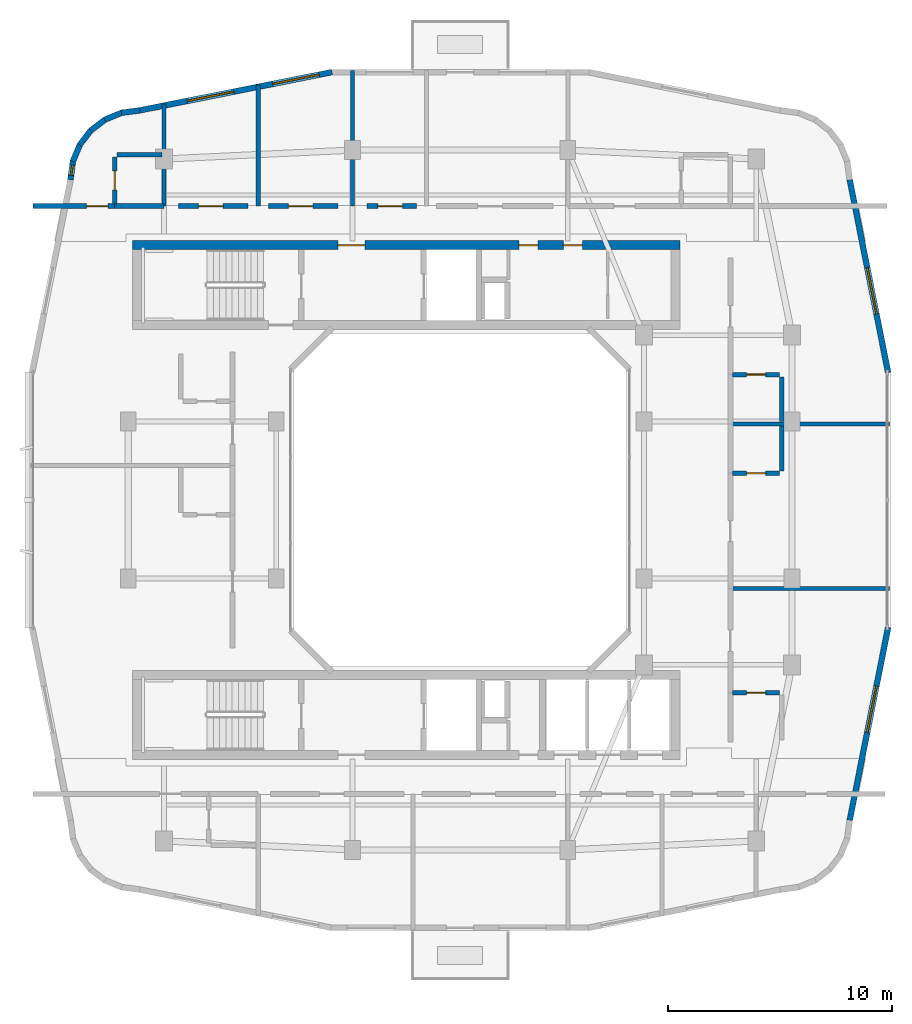
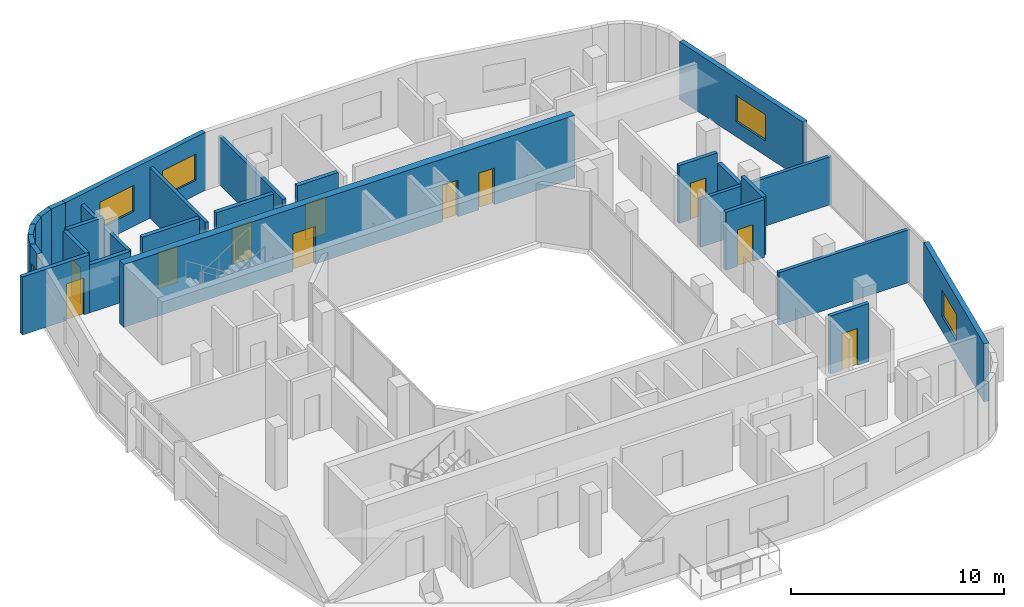
# One storey, part 8 of 13: 27 walls, 11 doors, 5 windows, 16 openings.
"""IFC4 building model written with IfcOpenShell, lengths in metres."""

from ifc_helpers import new_model, si_unit, derived_unit, direction, frame, frame_2d, origin, place, context, subcontext, project, spatial, rectangle, extrude, material, layer, layer_set, type_object, element, fill, save


model = new_model("IFC4")

# Units and contexts
model_context = context("Model", 3, precision=1e-05, world=origin(), true_north=direction((0.0, 1.0)))
body_context = subcontext(model_context, "Body", "Model", "MODEL_VIEW")
ifc_project = project(units=[si_unit("LENGTHUNIT", "METRE"), si_unit("AREAUNIT", "SQUARE_METRE"), si_unit("VOLUMEUNIT", "CUBIC_METRE"), si_unit("PLANEANGLEUNIT", "RADIAN"), si_unit("MASSUNIT", "GRAM", prefix="KILO"), derived_unit("THERMALTRANSMITTANCEUNIT", [(si_unit("POWERUNIT", "WATT"), 1), (si_unit("LENGTHUNIT", "METRE"), -2), (si_unit("THERMODYNAMICTEMPERATUREUNIT", "KELVIN"), -1)])], contexts=[model_context])

# Site, building, storey
site_placement = place(None, origin())
site = spatial("IfcSite", under=ifc_project, at=site_placement, CompositionType="ELEMENT")
building_placement = place(site_placement, origin())
building = spatial("IfcBuilding", under=site, at=building_placement, Name="Kivonza Crest Hotel", CompositionType="ELEMENT")
storey_placement = place(building_placement, frame((0.0, 0.0, 231.5)))
storey = spatial("IfcBuildingStorey", under=building, at=storey_placement, Name="L63", CompositionType="ELEMENT", Elevation=231.5)

# Walls
ifc_material_1 = material(Name="High-density acoustic masonry inter-tenancy wall", Category="masonry")
ifc_layer_1 = layer(ifc_material_1, 0.179931640625)
ifc_layer_set_1 = layer_set([ifc_layer_1], Name="High-density acoustic masonry inter-tenancy wall")
wall_type_1 = type_object("IfcWallType", Name="WL-ACOU-180", PredefinedType="SOLIDWALL", material=ifc_layer_set_1)
wall_1_placement = place(storey_placement, frame((7.800048828125, 38.10009765625, 0.0), z_axis=(0.0, 0.0, 1.0), x_axis=(0.0, 1.0, 0.0)))
element("IfcWall", 1, at=wall_1_placement, inside=storey, type_object=wall_type_1, Name="L63 interior partition WA-L63-T1N-DIV1", PredefinedType="SOLIDWALL", context=body_context, shape_type="SweptSolid", body=[
    extrude(rectangle(XDim=4.557861328125, YDim=0.179931640625, at=frame_2d((2.27880859375, 0.0))), origin(), (0.0, 0.0, 1.0), 2.7451171875),
])
wall_2_placement = place(storey_placement, frame((12.0, 38.10009765625, 0.0), z_axis=(0.0, 0.0, 1.0), x_axis=(0.0, 1.0, 0.0)))
element("IfcWall", 2, at=wall_2_placement, inside=storey, type_object=wall_type_1, Name="L63 interior partition WA-L63-T1N-SPDIV1", PredefinedType="SOLIDWALL", context=body_context, shape_type="SweptSolid", body=[
    extrude(rectangle(XDim=5.393798828125, YDim=0.179931640625, at=frame_2d((2.69677734375, 0.0))), origin(), (0.0, 0.0, 1.0), 2.89501953125),
])
wall_3_placement = place(storey_placement, frame((16.199951171875, 38.10009765625, 0.0), z_axis=(0.0, 0.0, 1.0), x_axis=(0.0, 1.0, 0.0)))
element("IfcWall", 3, at=wall_3_placement, inside=storey, type_object=wall_type_1, Name="L63 interior partition WA-L63-T1N-DIV2", PredefinedType="SOLIDWALL", context=body_context, shape_type="SweptSolid", body=[
    extrude(rectangle(XDim=6.039794921875, YDim=0.179931640625, at=frame_2d((3.02001953125, 0.0))), origin(), (0.0, 0.0, 1.0), 2.7451171875),
])
wall_4_placement = place(storey_placement, frame((33.050048828125, 21.049072265625, 0.0), z_axis=(0.0, 0.0, 1.0), x_axis=(1.0, 0.0, 0.0)))
element("IfcWall", 4, at=wall_4_placement, inside=storey, type_object=wall_type_1, Name="L63 interior partition WA-L63-T1E-DIV1", PredefinedType="SOLIDWALL", context=body_context, shape_type="SweptSolid", body=[
    extrude(rectangle(XDim=7.08984375, YDim=0.179931640625, at=frame_2d((3.544921875, 0.0))), origin(), (0.0, 0.0, 1.0), 3.014892578125),
])
wall_5_placement = place(storey_placement, frame((33.050048828125, 28.39306640625, 0.0), z_axis=(0.0, 0.0, 1.0), x_axis=(1.0, 0.0, 0.0)))
element("IfcWall", 5, at=wall_5_placement, inside=storey, type_object=wall_type_1, Name="L63 interior partition WA-L63-T1E-DIV2", PredefinedType="SOLIDWALL", context=body_context, shape_type="SweptSolid", body=[
    extrude(rectangle(XDim=7.08984375, YDim=0.179931640625, at=frame_2d((3.544921875, 0.0))), origin(), (0.0, 0.0, 1.0), 2.7451171875),
])
ifc_material_2 = material(Name="Autoclaved aerated concrete blockwork", Category="masonry")
ifc_layer_2 = layer(ifc_material_2, 0.219970703125)
ifc_layer_set_2 = layer_set([ifc_layer_2], Name="Autoclaved aerated concrete blockwork")
wall_type_2 = type_object("IfcWallType", Name="WL-ACOU-220", PredefinedType="SOLIDWALL", material=ifc_layer_set_2)
wall_6_placement = place(storey_placement, frame((5.60009765625, 38.10009765625, 0.0), z_axis=(0.0, 0.0, 1.0), x_axis=(1.0, 0.0, 0.0)))
element("IfcWall", 6, at=wall_6_placement, inside=storey, type_object=wall_type_2, Name="L63 interior partition WA-L63-N01-BCORR", PredefinedType="SOLIDWALL", context=body_context, shape_type="SweptSolid", body=[
    extrude(rectangle(XDim=2.199951171875, YDim=0.219970703125, at=frame_2d((1.10009765625, 0.0))), origin(), (0.0, 0.0, 1.0), 2.7451171875),
])

# Wall, opening, door
wall_7_placement = place(storey_placement, frame((1.9599609375, 38.10009765625, 0.0), z_axis=(0.0, 0.0, 1.0), x_axis=(1.0, 0.0, 0.0)))
wall_7 = element("IfcWall", 7, at=wall_7_placement, inside=storey, type_object=wall_type_2, Name="L63 interior partition WA-L63-N01-MCORR", PredefinedType="SOLIDWALL", context=body_context, shape_type="SweptSolid", body=[
    extrude(rectangle(XDim=3.64013671875, YDim=0.219970703125, at=frame_2d((1.820068359375, 0.0))), origin(), (0.0, 0.0, 1.0), 3.320068359375),
])
opening_1_placement = place(wall_7_placement, frame((2.389892578125, 0.0, 0.0)))
opening_1 = element("IfcOpeningElement", 8, at=opening_1_placement, cuts=wall_7, Name="Opening DU-60", PredefinedType="OPENING", context=body_context, shape_type="SweptSolid", body=[
    extrude(rectangle(XDim=0.949951171875, YDim=2.10009765625, at=frame_2d((0.47509765625, 1.050048828125))), frame((0.0, 0.1201171875, 0.0), z_axis=(0.0, -1.0, 0.0), x_axis=(1.0, 0.0, 0.0)), (0.0, 0.0, 1.0), 0.239990234375),
])
ifc_material_3 = material(Name="Hardwood timber oak", Category="wood")
door_type_1 = type_object("IfcDoorType", Name="DR-UNIT-950", OperationType="NOTDEFINED", PredefinedType="DOOR", material=ifc_material_3)
door_1_placement = place(opening_1_placement, origin())
door_1 = element("IfcDoor", 9, at=door_1_placement, inside=storey, type_object=door_type_1, Name="L63 N01 guest unit entrance fire door", OperationType="SINGLE_SWING_LEFT", OverallHeight=2.10009765625, OverallWidth=0.949951171875, PredefinedType="DOOR", context=body_context, shape_type="SweptSolid", body=[
    extrude(rectangle(XDim=0.949951171875, YDim=2.10009765625, at=frame_2d((0.47509765625, 1.050048828125))), frame((0.0, 0.02490234375, 0.0), z_axis=(0.0, -1.0, 0.0), x_axis=(1.0, 0.0, 0.0)), (0.0, 0.0, 1.0), 0.050048828125),
])
fill(opening_1, door_1)

wall_8_placement = place(storey_placement, frame((8.449951171875, 38.10009765625, 0.0), z_axis=(0.0, 0.0, 1.0), x_axis=(1.0, 0.0, 0.0)))
wall_8 = element("IfcWall", 10, at=wall_8_placement, inside=storey, type_object=wall_type_2, Name="L63 interior partition WA-L63-Z3-NOFF1A-S", PredefinedType="SOLIDWALL", context=body_context, shape_type="SweptSolid", body=[
    extrude(rectangle(XDim=3.10009765625, YDim=0.219970703125, at=frame_2d((1.550048828125, 0.0))), origin(), (0.0, 0.0, 1.0), 3.320068359375),
])
opening_2_placement = place(wall_8_placement, frame((0.889892578125, 0.0, 0.0)))
opening_2 = element("IfcOpeningElement", 11, at=opening_2_placement, cuts=wall_8, Name="Opening DF-60M", PredefinedType="OPENING", context=body_context, shape_type="SweptSolid", body=[
    extrude(rectangle(XDim=1.10009765625, YDim=2.10009765625, at=frame_2d((0.550048828125, 1.050048828125))), frame((0.0, 0.1201171875, 0.0), z_axis=(0.0, -1.0, 0.0), x_axis=(1.0, 0.0, 0.0)), (0.0, 0.0, 1.0), 0.239990234375),
])
door_type_2 = type_object("IfcDoorType", Name="DR-FD60-1100", OperationType="NOTDEFINED", PredefinedType="DOOR", material=ifc_material_3)
door_2_placement = place(opening_2_placement, origin())
door_2 = element("IfcDoor", 12, at=door_2_placement, inside=storey, type_object=door_type_2, Name="L63 High-Rise Executive Briefing Office door", OperationType="SINGLE_SWING_RIGHT", OverallHeight=2.10009765625, OverallWidth=1.10009765625, PredefinedType="DOOR", context=body_context, shape_type="SweptSolid", body=[
    extrude(rectangle(XDim=1.10009765625, YDim=2.10009765625, at=frame_2d((0.550048828125, 1.050048828125))), frame((0.0, 0.02490234375, 0.0), z_axis=(0.0, -1.0, 0.0), x_axis=(1.0, 0.0, 0.0)), (0.0, 0.0, 1.0), 0.050048828125),
])
fill(opening_2, door_2)

wall_9_placement = place(storey_placement, frame((12.449951171875, 38.10009765625, 0.0), z_axis=(0.0, 0.0, 1.0), x_axis=(1.0, 0.0, 0.0)))
wall_9 = element("IfcWall", 13, at=wall_9_placement, inside=storey, type_object=wall_type_2, Name="L63 interior partition WA-L63-Z3-NOFF1B-S", PredefinedType="SOLIDWALL", context=body_context, shape_type="SweptSolid", body=[
    extrude(rectangle(XDim=3.10009765625, YDim=0.219970703125, at=frame_2d((1.550048828125, 0.0))), origin(), (0.0, 0.0, 1.0), 3.320068359375),
])
opening_3_placement = place(wall_9_placement, frame((0.889892578125, 0.0, 0.0)))
opening_3 = element("IfcOpeningElement", 14, at=opening_3_placement, cuts=wall_9, Name="Opening DF-60M", PredefinedType="OPENING", context=body_context, shape_type="SweptSolid", body=[
    extrude(rectangle(XDim=1.10009765625, YDim=2.10009765625, at=frame_2d((0.550048828125, 1.050048828125))), frame((0.0, 0.1201171875, 0.0), z_axis=(0.0, -1.0, 0.0), x_axis=(1.0, 0.0, 0.0)), (0.0, 0.0, 1.0), 0.239990234375),
])
door_3_placement = place(opening_3_placement, origin())
door_3 = element("IfcDoor", 15, at=door_3_placement, inside=storey, type_object=door_type_2, Name="L63 High-Rise Diplomatic Study Office door", OperationType="SINGLE_SWING_LEFT", OverallHeight=2.10009765625, OverallWidth=1.10009765625, PredefinedType="DOOR", context=body_context, shape_type="SweptSolid", body=[
    extrude(rectangle(XDim=1.10009765625, YDim=2.10009765625, at=frame_2d((0.550048828125, 1.050048828125))), frame((0.0, 0.02490234375, 0.0), z_axis=(0.0, -1.0, 0.0), x_axis=(1.0, 0.0, 0.0)), (0.0, 0.0, 1.0), 0.050048828125),
])
fill(opening_3, door_3)

wall_10_placement = place(storey_placement, frame((16.85009765625, 38.10009765625, 0.0), z_axis=(0.0, 0.0, 1.0), x_axis=(1.0, 0.0, 0.0)))
wall_10 = element("IfcWall", 16, at=wall_10_placement, inside=storey, type_object=wall_type_2, Name="L63 interior partition WA-L63-Z3-NOFF2A-S", PredefinedType="SOLIDWALL", context=body_context, shape_type="SweptSolid", body=[
    extrude(rectangle(XDim=2.199951171875, YDim=0.219970703125, at=frame_2d((1.10009765625, 0.0))), origin(), (0.0, 0.0, 1.0), 3.320068359375),
])
opening_4_placement = place(wall_10_placement, frame((0.485107421875, 0.0, 0.0)))
opening_4 = element("IfcOpeningElement", 17, at=opening_4_placement, cuts=wall_10, Name="Opening DF-60M", PredefinedType="OPENING", context=body_context, shape_type="SweptSolid", body=[
    extrude(rectangle(XDim=1.10009765625, YDim=2.10009765625, at=frame_2d((0.550048828125, 1.050048828125))), frame((0.0, 0.1201171875, 0.0), z_axis=(0.0, -1.0, 0.0), x_axis=(1.0, 0.0, 0.0)), (0.0, 0.0, 1.0), 0.239990234375),
])
door_4_placement = place(opening_4_placement, origin())
door_4 = element("IfcDoor", 18, at=door_4_placement, inside=storey, type_object=door_type_2, Name="L63 High-Rise Executive Briefing Office door", OperationType="SINGLE_SWING_RIGHT", OverallHeight=2.10009765625, OverallWidth=1.10009765625, PredefinedType="DOOR", context=body_context, shape_type="SweptSolid", body=[
    extrude(rectangle(XDim=1.10009765625, YDim=2.10009765625, at=frame_2d((0.550048828125, 1.050048828125))), frame((0.0, 0.02490234375, 0.0), z_axis=(0.0, -1.0, 0.0), x_axis=(1.0, 0.0, 0.0)), (0.0, 0.0, 1.0), 0.050048828125),
])
fill(opening_4, door_4)

# Wall, openings, doors
ifc_material_4 = material(Name="Concrete C50/60", Category="concrete")
ifc_layer_3 = layer(ifc_material_4, 0.39990234375)
ifc_layer_set_3 = layer_set([ifc_layer_3], Name="Concrete C50/60")
wall_type_3 = type_object("IfcWallType", Name="WL-CORE-400", PredefinedType="SHEAR", material=ifc_layer_set_3)
wall_11_placement = place(storey_placement, frame((6.39990234375, 36.360107421875, 0.0), z_axis=(0.0, 0.0, 1.0), x_axis=(1.0, 0.0, 0.0)))
wall_11 = element("IfcWall", 19, at=wall_11_placement, inside=storey, type_object=wall_type_3, Name="Core wall T1-N North L63", PredefinedType="SHEAR", context=body_context, shape_type="SweptSolid", body=[
    extrude(rectangle(XDim=24.400146484375, YDim=0.39990234375, at=frame_2d((12.2001953125, 0.0))), origin(), (0.0, 0.0, 1.0), 3.60009765625),
])
opening_5_placement = place(wall_11_placement, frame((9.14990234375, 0.0, 0.0)))
opening_5 = element("IfcOpeningElement", 20, at=opening_5_placement, cuts=wall_11, Name="Opening DF-60", PredefinedType="OPENING", context=body_context, shape_type="SweptSolid", body=[
    extrude(rectangle(XDim=1.199951171875, YDim=2.14990234375, at=frame_2d((0.60009765625, 1.074951171875))), frame((0.0, 0.2099609375, 0.0), z_axis=(0.0, -1.0, 0.0), x_axis=(1.0, 0.0, 0.0)), (0.0, 0.0, 1.0), 0.419921875),
])
opening_6_placement = place(wall_11_placement, frame((19.199951171875, 0.0, 0.0)))
opening_6 = element("IfcOpeningElement", 21, at=opening_6_placement, cuts=wall_11, Name="Opening DF-60R", PredefinedType="OPENING", context=body_context, shape_type="SweptSolid", body=[
    extrude(rectangle(XDim=0.85009765625, YDim=2.10009765625, at=frame_2d((0.425048828125, 1.050048828125))), frame((0.0, 0.2099609375, 0.0), z_axis=(0.0, -1.0, 0.0), x_axis=(1.0, 0.0, 0.0)), (0.0, 0.0, 1.0), 0.419921875),
])
opening_7_placement = place(wall_11_placement, frame((17.219970703125, 0.0, 0.0)))
opening_7 = element("IfcOpeningElement", 22, at=opening_7_placement, cuts=wall_11, Name="Opening DF-60R", PredefinedType="OPENING", context=body_context, shape_type="SweptSolid", body=[
    extrude(rectangle(XDim=0.85009765625, YDim=2.10009765625, at=frame_2d((0.425048828125, 1.050048828125))), frame((0.0, 0.2099609375, 0.0), z_axis=(0.0, -1.0, 0.0), x_axis=(1.0, 0.0, 0.0)), (0.0, 0.0, 1.0), 0.419921875),
])
door_type_3 = type_object("IfcDoorType", Name="DR-FD60-1200", OperationType="NOTDEFINED", PredefinedType="DOOR", material=ifc_material_3)
door_5_placement = place(opening_5_placement, origin())
door_5 = element("IfcDoor", 23, at=door_5_placement, inside=storey, type_object=door_type_3, Name="L63 T1-N firefighting lobby fire door", OperationType="SINGLE_SWING_RIGHT", OverallHeight=2.14990234375, OverallWidth=1.199951171875, PredefinedType="DOOR", context=body_context, shape_type="SweptSolid", body=[
    extrude(rectangle(XDim=1.199951171875, YDim=2.14990234375, at=frame_2d((0.60009765625, 1.074951171875))), frame((0.0, 0.02490234375, 0.0), z_axis=(0.0, -1.0, 0.0), x_axis=(1.0, 0.0, 0.0)), (0.0, 0.0, 1.0), 0.050048828125),
])
fill(opening_5, door_5)
door_type_4 = type_object("IfcDoorType", Name="DR-FD60-850", OperationType="NOTDEFINED", PredefinedType="DOOR", material=ifc_material_3)
door_6_placement = place(opening_6_placement, origin())
door_6 = element("IfcDoor", 24, at=door_6_placement, inside=storey, type_object=door_type_4, Name="L63 T1-N reclaimed core service door", OperationType="SINGLE_SWING_LEFT", OverallHeight=2.10009765625, OverallWidth=0.85009765625, PredefinedType="DOOR", context=body_context, shape_type="SweptSolid", body=[
    extrude(rectangle(XDim=0.85009765625, YDim=2.10009765625, at=frame_2d((0.425048828125, 1.050048828125))), frame((0.0, 0.02490234375, 0.0), z_axis=(0.0, -1.0, 0.0), x_axis=(1.0, 0.0, 0.0)), (0.0, 0.0, 1.0), 0.050048828125),
])
fill(opening_6, door_6)
door_7_placement = place(opening_7_placement, origin())
door_7 = element("IfcDoor", 25, at=door_7_placement, inside=storey, type_object=door_type_4, Name="L63 T1-N core room door", OperationType="SINGLE_SWING_RIGHT", OverallHeight=2.10009765625, OverallWidth=0.85009765625, PredefinedType="DOOR", context=body_context, shape_type="SweptSolid", body=[
    extrude(rectangle(XDim=0.85009765625, YDim=2.10009765625, at=frame_2d((0.425048828125, 1.050048828125))), frame((0.0, 0.02490234375, 0.0), z_axis=(0.0, -1.0, 0.0), x_axis=(1.0, 0.0, 0.0)), (0.0, 0.0, 1.0), 0.050048828125),
])
fill(opening_7, door_7)

# Wall, opening, window
ifc_material_5 = material(Name="Precast concrete C40/50", Category="concrete")
ifc_layer_4 = layer(ifc_material_5, 0.260009765625)
ifc_layer_set_4 = layer_set([ifc_layer_4], Name="Precast concrete C40/50")
wall_type_4 = type_object("IfcWallType", Name="WL-EXT-260", PredefinedType="STANDARD", material=ifc_layer_set_4)
wall_12_placement = place(storey_placement, frame((38.37109375, 10.717041015625, 0.0), z_axis=(0.0, 0.0, 1.0), x_axis=(0.195291715883, 0.980745199176, 0.0)))
wall_12 = element("IfcWall", 26, at=wall_12_placement, inside=storey, type_object=wall_type_4, Name="L63 T1 exterior insulated wall 16", PredefinedType="STANDARD", context=body_context, shape_type="SweptSolid", body=[
    extrude(rectangle(XDim=8.77099609375, YDim=0.260009765625, at=frame_2d((4.385498046875, 0.0))), origin(), (0.0, 0.0, 1.0), 3.320068359375),
])
opening_8_placement = place(wall_12_placement, frame((4.0, 0.0, 0.85009765625)))
opening_8 = element("IfcOpeningElement", 27, at=opening_8_placement, cuts=wall_12, Name="Opening WN-04", PredefinedType="OPENING", context=body_context, shape_type="SweptSolid", body=[
    extrude(rectangle(XDim=2.10009765625, YDim=1.5, at=frame_2d((1.050048828125, 0.75))), frame((0.0, 0.14013671875, 0.0), z_axis=(0.0, -1.0, 0.0), x_axis=(1.0, 0.0, 0.0)), (0.0, 0.0, 1.0), 0.280029296875),
])
ifc_material_6 = material(Name="Thermally broken bronze aluminium and low-E double glazing", Category="aluminium")
window_type_1 = type_object("IfcWindowType", Name="WN-210x150", PartitioningType="DOUBLE_PANEL_VERTICAL", PredefinedType="WINDOW", material=ifc_material_6)
window_1_placement = place(opening_8_placement, origin())
window_1 = element("IfcWindow", 28, at=window_1_placement, inside=storey, type_object=window_type_1, Name="L63 T1 facade window 16", OverallHeight=1.5, OverallWidth=2.10009765625, PartitioningType="SINGLE_PANEL", PredefinedType="WINDOW", context=body_context, shape_type="SweptSolid", body=[
    extrude(rectangle(XDim=2.10009765625, YDim=1.5, at=frame_2d((1.050048828125, 0.75))), frame((0.0, 0.030029296875, 0.0), z_axis=(0.0, -1.0, 0.0), x_axis=(1.0, 0.0, 0.0)), (0.0, 0.0, 1.0), 0.06005859375),
])
fill(opening_8, window_1)

wall_13_placement = place(storey_placement, frame((40.083984375, 30.680908203125, 0.0), z_axis=(0.0, 0.0, 1.0), x_axis=(-0.195291715883, 0.980745199176, 0.0)))
wall_13 = element("IfcWall", 29, at=wall_13_placement, inside=storey, type_object=wall_type_4, Name="L63 T1 exterior insulated wall 18", PredefinedType="STANDARD", context=body_context, shape_type="SweptSolid", body=[
    extrude(rectangle(XDim=8.77099609375, YDim=0.260009765625, at=frame_2d((4.385498046875, 0.0))), origin(), (0.0, 0.0, 1.0), 3.320068359375),
])
opening_9_placement = place(wall_13_placement, frame((2.669921875, 0.0, 0.85009765625)))
opening_9 = element("IfcOpeningElement", 30, at=opening_9_placement, cuts=wall_13, Name="Opening WN-04", PredefinedType="OPENING", context=body_context, shape_type="SweptSolid", body=[
    extrude(rectangle(XDim=2.10009765625, YDim=1.5, at=frame_2d((1.050048828125, 0.75))), frame((0.0, 0.14013671875, 0.0), z_axis=(0.0, -1.0, 0.0), x_axis=(1.0, 0.0, 0.0)), (0.0, 0.0, 1.0), 0.280029296875),
])
window_2_placement = place(opening_9_placement, origin())
window_2 = element("IfcWindow", 31, at=window_2_placement, inside=storey, type_object=window_type_1, Name="L63 T1 facade window 18", OverallHeight=1.5, OverallWidth=2.10009765625, PartitioningType="SINGLE_PANEL", PredefinedType="WINDOW", context=body_context, shape_type="SweptSolid", body=[
    extrude(rectangle(XDim=2.10009765625, YDim=1.5, at=frame_2d((1.050048828125, 0.75))), frame((0.0, 0.030029296875, 0.0), z_axis=(0.0, -1.0, 0.0), x_axis=(1.0, 0.0, 0.0)), (0.0, 0.0, 1.0), 0.06005859375),
])
fill(opening_9, window_2)

# Wall, openings, windows
wall_14_placement = place(storey_placement, frame((15.2900390625, 44.077880859375, 0.0), z_axis=(0.0, 0.0, 1.0), x_axis=(-0.980752174324, -0.195256683773, 0.0)))
wall_14 = element("IfcWall", 32, at=wall_14_placement, inside=storey, type_object=wall_type_4, Name="L63 T1 exterior insulated wall 27", PredefinedType="STANDARD", context=body_context, shape_type="SweptSolid", body=[
    extrude(rectangle(XDim=8.7412109375, YDim=0.260009765625, at=frame_2d((4.37060546875, 0.0))), origin(), (0.0, 0.0, 1.0), 3.320068359375),
])
opening_10_placement = place(wall_14_placement, frame((0.590087890625, 0.0, 0.85009765625)))
opening_10 = element("IfcOpeningElement", 33, at=opening_10_placement, cuts=wall_14, Name="Opening WN-04", PredefinedType="OPENING", context=body_context, shape_type="SweptSolid", body=[
    extrude(rectangle(XDim=2.10009765625, YDim=1.5, at=frame_2d((1.050048828125, 0.75))), frame((0.0, 0.14013671875, 0.0), z_axis=(0.0, -1.0, 0.0), x_axis=(1.0, 0.0, 0.0)), (0.0, 0.0, 1.0), 0.280029296875),
])
opening_11_placement = place(wall_14_placement, frame((4.470947265625, 0.0, 0.85009765625)))
opening_11 = element("IfcOpeningElement", 34, at=opening_11_placement, cuts=wall_14, Name="Opening WN-04", PredefinedType="OPENING", context=body_context, shape_type="SweptSolid", body=[
    extrude(rectangle(XDim=2.10009765625, YDim=1.5, at=frame_2d((1.050048828125, 0.75))), frame((0.0, 0.14013671875, 0.0), z_axis=(0.0, -1.0, 0.0), x_axis=(1.0, 0.0, 0.0)), (0.0, 0.0, 1.0), 0.280029296875),
])
window_3_placement = place(opening_10_placement, origin())
window_3 = element("IfcWindow", 35, at=window_3_placement, inside=storey, type_object=window_type_1, Name="L63 T1 facade window 27 bay 1", OverallHeight=1.5, OverallWidth=2.10009765625, PartitioningType="SINGLE_PANEL", PredefinedType="WINDOW", context=body_context, shape_type="SweptSolid", body=[
    extrude(rectangle(XDim=2.10009765625, YDim=1.5, at=frame_2d((1.050048828125, 0.75))), frame((0.0, 0.030029296875, 0.0), z_axis=(0.0, -1.0, 0.0), x_axis=(1.0, 0.0, 0.0)), (0.0, 0.0, 1.0), 0.06005859375),
])
fill(opening_10, window_3)
window_4_placement = place(opening_11_placement, origin())
window_4 = element("IfcWindow", 36, at=window_4_placement, inside=storey, type_object=window_type_1, Name="L63 T1 facade window 27 bay 2", OverallHeight=1.5, OverallWidth=2.10009765625, PartitioningType="SINGLE_PANEL", PredefinedType="WINDOW", context=body_context, shape_type="SweptSolid", body=[
    extrude(rectangle(XDim=2.10009765625, YDim=1.5, at=frame_2d((1.050048828125, 0.75))), frame((0.0, 0.030029296875, 0.0), z_axis=(0.0, -1.0, 0.0), x_axis=(1.0, 0.0, 0.0)), (0.0, 0.0, 1.0), 0.06005859375),
])
fill(opening_11, window_4)

# Walls
wall_15_placement = place(storey_placement, frame((6.72509765625, 42.3720703125, 0.0), z_axis=(0.0, 0.0, 1.0), x_axis=(-0.9913883573, -0.130954667764, 0.0)))
element("IfcWall", 37, at=wall_15_placement, inside=storey, type_object=wall_type_4, Name="L63 T1 exterior insulated wall 28", PredefinedType="STANDARD", context=body_context, shape_type="SweptSolid", body=[
    extrude(rectangle(XDim=0.833251953125, YDim=0.260009765625, at=frame_2d((0.41650390625, 0.0))), origin(), (0.0, 0.0, 1.0), 3.320068359375),
])
wall_16_placement = place(storey_placement, frame((5.945068359375, 42.281005859375, 0.0), z_axis=(0.0, 0.0, 1.0), x_axis=(-0.923754491172, -0.382985169477, 0.0)))
element("IfcWall", 38, at=wall_16_placement, inside=storey, type_object=wall_type_4, Name="L63 T1 exterior insulated wall 29", PredefinedType="STANDARD", context=body_context, shape_type="SweptSolid", body=[
    extrude(rectangle(XDim=0.85107421875, YDim=0.260009765625, at=frame_2d((0.425537109375, 0.0))), origin(), (0.0, 0.0, 1.0), 3.320068359375),
])
for number, where, z_axis, x_axis, name in (
    (39, (5.198974609375, 41.98291015625, 0.0), (0.0, 0.0, 1.0), (-0.793999057278, -0.607918988881, 0.0), "L63 T1 exterior insulated wall 30"),
    (40, (4.554931640625, 41.50390625, 0.0), (0.0, 0.0, 1.0), (-0.608057619941, -0.793892896323, 0.0), "L63 T1 exterior insulated wall 31"),
):
    element("IfcWall", number, at=place(storey_placement, frame(where, z_axis=z_axis, x_axis=x_axis)), inside=storey, type_object=wall_type_4, Name=name, PredefinedType="STANDARD", context=body_context, shape_type="SweptSolid", body=[
        extrude(rectangle(XDim=0.85009765625, YDim=0.260009765625, at=frame_2d((0.425048828125, 0.0))), origin(), (0.0, 0.0, 1.0), 3.320068359375),
    ])
wall_17_placement = place(storey_placement, frame((4.05908203125, 40.873046875, 0.0), z_axis=(0.0, 0.0, 1.0), x_axis=(-0.383229930484, -0.923652976167, 0.0)))
element("IfcWall", 41, at=wall_17_placement, inside=storey, type_object=wall_type_4, Name="L63 T1 exterior insulated wall 32", PredefinedType="STANDARD", context=body_context, shape_type="SweptSolid", body=[
    extrude(rectangle(XDim=0.85107421875, YDim=0.260009765625, at=frame_2d((0.425537109375, 0.0))), origin(), (0.0, 0.0, 1.0), 3.320068359375),
])

# Wall, opening, window
wall_18_placement = place(storey_placement, frame((3.740966796875, 40.135986328125, 0.0), z_axis=(0.0, 0.0, 1.0), x_axis=(-0.130156359936, -0.991493480548, 0.0)))
wall_18 = element("IfcWall", 42, at=wall_18_placement, inside=storey, type_object=wall_type_4, Name="L63 T1 exterior insulated wall 33", PredefinedType="STANDARD", context=body_context, shape_type="SweptSolid", body=[
    extrude(rectangle(XDim=0.868408203125, YDim=0.260009765625, at=frame_2d((0.43408203125, 0.0))), origin(), (0.0, 0.0, 1.0), 3.320068359375),
])
opening_12_placement = place(wall_18_placement, frame((0.208984375, 0.0, 0.85009765625)))
opening_12 = element("IfcOpeningElement", 43, at=opening_12_placement, cuts=wall_18, Name="Opening WN-11", PredefinedType="OPENING", context=body_context, shape_type="SweptSolid", body=[
    extrude(rectangle(XDim=0.449951171875, YDim=1.5, at=frame_2d((0.22509765625, 0.75))), frame((0.0, 0.14013671875, 0.0), z_axis=(0.0, -1.0, 0.0), x_axis=(1.0, 0.0, 0.0)), (0.0, 0.0, 1.0), 0.280029296875),
])
window_type_2 = type_object("IfcWindowType", Name="WN-045x150", PartitioningType="SINGLE_PANEL", PredefinedType="WINDOW", material=ifc_material_6)
window_5_placement = place(opening_12_placement, origin())
window_5 = element("IfcWindow", 44, at=window_5_placement, inside=storey, type_object=window_type_2, Name="L63 corner vision window 1", OverallHeight=1.5, OverallWidth=0.449951171875, PartitioningType="SINGLE_PANEL", PredefinedType="WINDOW", context=body_context, shape_type="SweptSolid", body=[
    extrude(rectangle(XDim=0.449951171875, YDim=1.5, at=frame_2d((0.22509765625, 0.75))), frame((0.0, 0.030029296875, 0.0), z_axis=(0.0, -1.0, 0.0), x_axis=(1.0, 0.0, 0.0)), (0.0, 0.0, 1.0), 0.06005859375),
])
fill(opening_12, window_5)

# Wall, opening, door
ifc_material_7 = material(Name="Moisture-resistant plumbing chase partition wall", Category="gypsum")
ifc_layer_5 = layer(ifc_material_7, 0.199951171875)
ifc_layer_set_5 = layer_set([ifc_layer_5], Name="Moisture-resistant plumbing chase partition wall")
wall_type_5 = type_object("IfcWallType", Name="WL-PLUMB-200", PredefinedType="PLUMBINGWALL", material=ifc_layer_set_5)
wall_19_placement = place(storey_placement, frame((5.60009765625, 38.199951171875, 0.0), z_axis=(0.0, 0.0, 1.0), x_axis=(0.0, 1.0, 0.0)))
wall_19 = element("IfcWall", 45, at=wall_19_placement, inside=storey, type_object=wall_type_5, Name="L63 interior partition WW-L63-N01-BV", PredefinedType="PLUMBINGWALL", context=body_context, shape_type="SweptSolid", body=[
    extrude(rectangle(XDim=2.10009765625, YDim=0.199951171875, at=frame_2d((1.050048828125, 0.0))), origin(), (0.0, 0.0, 1.0), 3.320068359375),
])
opening_13_placement = place(wall_19_placement, frame((0.625, 0.0, 0.0)))
opening_13 = element("IfcOpeningElement", 46, at=opening_13_placement, cuts=wall_19, Name="Opening DI-85", PredefinedType="OPENING", context=body_context, shape_type="SweptSolid", body=[
    extrude(rectangle(XDim=0.85009765625, YDim=2.10009765625, at=frame_2d((0.425048828125, 1.050048828125))), frame((0.0, 0.10986328125, 0.0), z_axis=(0.0, -1.0, 0.0), x_axis=(1.0, 0.0, 0.0)), (0.0, 0.0, 1.0), 0.219970703125),
])
door_type_5 = type_object("IfcDoorType", Name="DR-INT-850", OperationType="NOTDEFINED", PredefinedType="DOOR", material=ifc_material_3)
door_8_placement = place(opening_13_placement, origin())
door_8 = element("IfcDoor", 47, at=door_8_placement, inside=storey, type_object=door_type_5, Name="L63 N01 en-suite bathroom door", OperationType="SINGLE_SWING_RIGHT", OverallHeight=2.10009765625, OverallWidth=0.85009765625, PredefinedType="DOOR", context=body_context, shape_type="SweptSolid", body=[
    extrude(rectangle(XDim=0.85009765625, YDim=2.10009765625, at=frame_2d((0.425048828125, 1.050048828125))), frame((0.0, 0.02490234375, 0.0), z_axis=(0.0, -1.0, 0.0), x_axis=(1.0, 0.0, 0.0)), (0.0, 0.0, 1.0), 0.050048828125),
])
fill(opening_13, door_8)

# Wall
wall_20_placement = place(storey_placement, frame((5.699951171875, 40.39990234375, 0.0), z_axis=(0.0, 0.0, 1.0), x_axis=(1.0, 0.0, 0.0)))
element("IfcWall", 48, at=wall_20_placement, inside=storey, type_object=wall_type_5, Name="L63 interior partition WW-L63-N01-BH", PredefinedType="PLUMBINGWALL", context=body_context, shape_type="SweptSolid", body=[
    extrude(rectangle(XDim=2.0, YDim=0.199951171875, at=frame_2d((1.0, 0.0))), origin(), (0.0, 0.0, 1.0), 3.320068359375),
])

# Wall, opening, door
wall_21_placement = place(storey_placement, frame((33.14990234375, 16.39990234375, 0.0), z_axis=(0.0, 0.0, 1.0), x_axis=(1.0, 0.0, 0.0)))
wall_21 = element("IfcWall", 49, at=wall_21_placement, inside=storey, type_object=wall_type_5, Name="L63 interior partition WW-L63-E06-BH", PredefinedType="PLUMBINGWALL", context=body_context, shape_type="SweptSolid", body=[
    extrude(rectangle(XDim=2.10009765625, YDim=0.199951171875, at=frame_2d((1.050048828125, 0.0))), origin(), (0.0, 0.0, 1.0), 3.320068359375),
])
opening_14_placement = place(wall_21_placement, frame((0.625, 0.0, 0.0)))
opening_14 = element("IfcOpeningElement", 50, at=opening_14_placement, cuts=wall_21, Name="Opening DI-85", PredefinedType="OPENING", context=body_context, shape_type="SweptSolid", body=[
    extrude(rectangle(XDim=0.85009765625, YDim=2.10009765625, at=frame_2d((0.425048828125, 1.050048828125))), frame((0.0, 0.10986328125, 0.0), z_axis=(0.0, -1.0, 0.0), x_axis=(1.0, 0.0, 0.0)), (0.0, 0.0, 1.0), 0.219970703125),
])
door_9_placement = place(opening_14_placement, origin())
door_9 = element("IfcDoor", 51, at=door_9_placement, inside=storey, type_object=door_type_5, Name="L63 E06 en-suite bathroom door", OperationType="SINGLE_SWING_LEFT", OverallHeight=2.10009765625, OverallWidth=0.85009765625, PredefinedType="DOOR", context=body_context, shape_type="SweptSolid", body=[
    extrude(rectangle(XDim=0.85009765625, YDim=2.10009765625, at=frame_2d((0.425048828125, 1.050048828125))), frame((0.0, 0.02490234375, 0.0), z_axis=(0.0, -1.0, 0.0), x_axis=(1.0, 0.0, 0.0)), (0.0, 0.0, 1.0), 0.050048828125),
])
fill(opening_14, door_9)

wall_22_placement = place(storey_placement, frame((33.14990234375, 26.193115234375, 0.0), z_axis=(0.0, 0.0, 1.0), x_axis=(1.0, 0.0, 0.0)))
wall_22 = element("IfcWall", 52, at=wall_22_placement, inside=storey, type_object=wall_type_5, Name="L63 interior partition WW-L63-E07-BH", PredefinedType="PLUMBINGWALL", context=body_context, shape_type="SweptSolid", body=[
    extrude(rectangle(XDim=2.10009765625, YDim=0.199951171875, at=frame_2d((1.050048828125, 0.0))), origin(), (0.0, 0.0, 1.0), 3.320068359375),
])
opening_15_placement = place(wall_22_placement, frame((0.625, 0.0, 0.0)))
opening_15 = element("IfcOpeningElement", 53, at=opening_15_placement, cuts=wall_22, Name="Opening DI-85", PredefinedType="OPENING", context=body_context, shape_type="SweptSolid", body=[
    extrude(rectangle(XDim=0.85009765625, YDim=2.10009765625, at=frame_2d((0.425048828125, 1.050048828125))), frame((0.0, 0.10986328125, 0.0), z_axis=(0.0, -1.0, 0.0), x_axis=(1.0, 0.0, 0.0)), (0.0, 0.0, 1.0), 0.219970703125),
])
door_10_placement = place(opening_15_placement, frame((0.85009765625, 0.0, 0.0), z_axis=(0.0, 0.0, 1.0), x_axis=(-1.0, 0.0, 0.0)))
door_10 = element("IfcDoor", 54, at=door_10_placement, inside=storey, type_object=door_type_5, Name="L63 E07 en-suite bathroom door", OperationType="SINGLE_SWING_RIGHT", OverallHeight=2.10009765625, OverallWidth=0.85009765625, PredefinedType="DOOR", context=body_context, shape_type="SweptSolid", body=[
    extrude(rectangle(XDim=0.85009765625, YDim=2.10009765625, at=frame_2d((0.425048828125, 1.050048828125))), frame((0.0, 0.02490234375, 0.0), z_axis=(0.0, -1.0, 0.0), x_axis=(1.0, 0.0, 0.0)), (0.0, 0.0, 1.0), 0.050048828125),
])
fill(opening_15, door_10)

# Wall
wall_23_placement = place(storey_placement, frame((35.35009765625, 26.29296875, 0.0), z_axis=(0.0, 0.0, 1.0), x_axis=(0.0, 1.0, 0.0)))
element("IfcWall", 55, at=wall_23_placement, inside=storey, type_object=wall_type_5, Name="L63 interior partition WW-L63-E07-BV", PredefinedType="PLUMBINGWALL", context=body_context, shape_type="SweptSolid", body=[
    extrude(rectangle(XDim=2.0, YDim=0.199951171875, at=frame_2d((1.0, 0.0))), origin(), (0.0, 0.0, 1.0), 3.320068359375),
])

# Wall, opening, door
wall_24_placement = place(storey_placement, frame((33.14990234375, 30.593017578125, 0.0), z_axis=(0.0, 0.0, 1.0), x_axis=(1.0, 0.0, 0.0)))
wall_24 = element("IfcWall", 56, at=wall_24_placement, inside=storey, type_object=wall_type_5, Name="L63 interior partition WW-L63-E08-BH", PredefinedType="PLUMBINGWALL", context=body_context, shape_type="SweptSolid", body=[
    extrude(rectangle(XDim=2.10009765625, YDim=0.199951171875, at=frame_2d((1.050048828125, 0.0))), origin(), (0.0, 0.0, 1.0), 3.320068359375),
])
opening_16_placement = place(wall_24_placement, frame((0.625, 0.0, 0.0)))
opening_16 = element("IfcOpeningElement", 57, at=opening_16_placement, cuts=wall_24, Name="Opening DI-85", PredefinedType="OPENING", context=body_context, shape_type="SweptSolid", body=[
    extrude(rectangle(XDim=0.85009765625, YDim=2.10009765625, at=frame_2d((0.425048828125, 1.050048828125))), frame((0.0, 0.10986328125, 0.0), z_axis=(0.0, -1.0, 0.0), x_axis=(1.0, 0.0, 0.0)), (0.0, 0.0, 1.0), 0.219970703125),
])
door_11_placement = place(opening_16_placement, origin())
door_11 = element("IfcDoor", 58, at=door_11_placement, inside=storey, type_object=door_type_5, Name="L63 E08 en-suite bathroom door", OperationType="SINGLE_SWING_LEFT", OverallHeight=2.10009765625, OverallWidth=0.85009765625, PredefinedType="DOOR", context=body_context, shape_type="SweptSolid", body=[
    extrude(rectangle(XDim=0.85009765625, YDim=2.10009765625, at=frame_2d((0.425048828125, 1.050048828125))), frame((0.0, 0.02490234375, 0.0), z_axis=(0.0, -1.0, 0.0), x_axis=(1.0, 0.0, 0.0)), (0.0, 0.0, 1.0), 0.050048828125),
])
fill(opening_16, door_11)

# Wall
wall_25_placement = place(storey_placement, frame((35.35009765625, 28.492919921875, 0.0), z_axis=(0.0, 0.0, 1.0), x_axis=(0.0, 1.0, 0.0)))
element("IfcWall", 59, at=wall_25_placement, inside=storey, type_object=wall_type_5, Name="L63 interior partition WW-L63-E08-BV", PredefinedType="PLUMBINGWALL", context=body_context, shape_type="SweptSolid", body=[
    extrude(rectangle(XDim=2.0, YDim=0.199951171875, at=frame_2d((1.0, 0.0))), origin(), (0.0, 0.0, 1.0), 2.7451171875),
])

save(model, "model.ifc")
